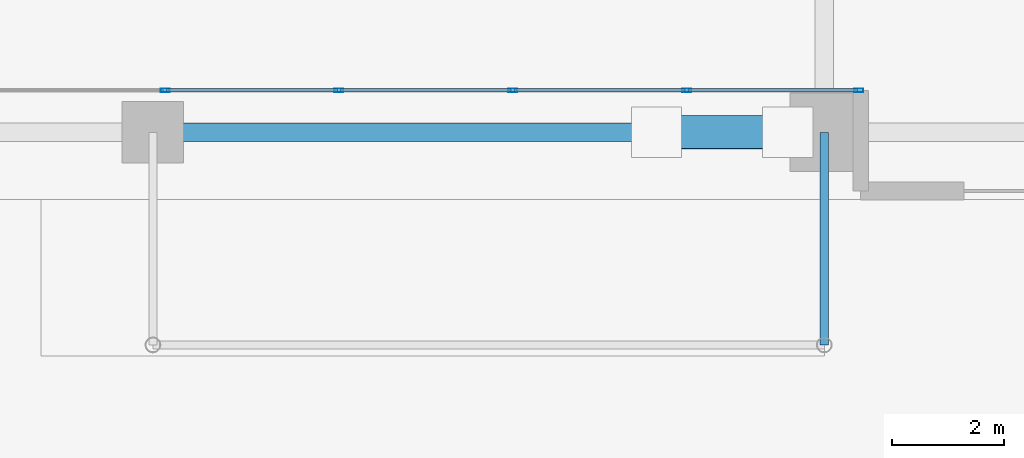
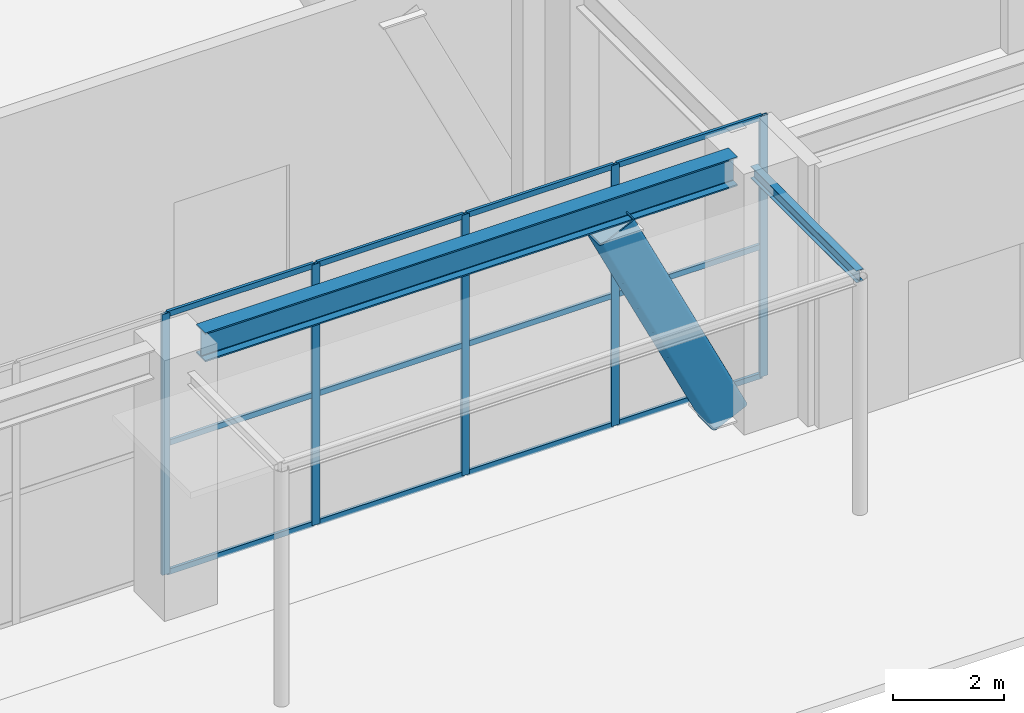
# One storey, part 18 of 49: 18 members, 2 beams, 1 element without a shape of its own.
"""IFC4 building model written with IfcOpenShell, lengths in metres."""

from ifc_helpers import new_model, si_unit, direction, frame, origin, origin_2d, place, context, subcontext, project, spatial, hollow_rectangle, i_section, extrude, material, layer, layer_set, material_profile, profile_set, type_object, element, aggregate, save


model = new_model("IFC4")

# Units and contexts
model_context = context("Model", 3, precision=1e-05, world=origin(), true_north=direction((0.0, 1.0)))
body_context = subcontext(model_context, "Body", "Model", "MODEL_VIEW")
ifc_project = project(units=[si_unit("LENGTHUNIT", "METRE"), si_unit("AREAUNIT", "SQUARE_METRE"), si_unit("VOLUMEUNIT", "CUBIC_METRE"), si_unit("PLANEANGLEUNIT", "RADIAN"), si_unit("MASSUNIT", "GRAM", prefix="KILO")], contexts=[model_context])

# Site, building, storey
site_placement = place(None, origin())
site = spatial("IfcSite", under=ifc_project, at=site_placement, CompositionType="ELEMENT")
building_placement = place(site_placement, origin())
building = spatial("IfcBuilding", under=site, at=building_placement, Name="Sarneth Arch Tower", CompositionType="ELEMENT")
storey_placement = place(building_placement, origin())
storey = spatial("IfcBuildingStorey", under=building, at=storey_placement, Name="L00", CompositionType="ELEMENT", Elevation=0.0)

# Beams
ifc_material_1 = material(Name="Steel S355", Category="steel")
ifc_material_profile_1 = material_profile(ifc_material_1, i_section(OverallWidth=0.14794921875, OverallDepth=0.26611328125, WebThickness=0.007568359375, FlangeThickness=0.012939453125, FilletRadius=0.012939453125, at=origin_2d()), Name="W250x44.8")
ifc_profile_set_1 = profile_set([ifc_material_profile_1], Name="Steel S355")
beam_type_1 = type_object("IfcBeamType", Name="BM-JOIST-250", PredefinedType="JOIST", material=ifc_profile_set_1)
beam_1_placement = place(storey_placement, frame((66.0, 9.199951171875, 5.159912109375), z_axis=(0.0, -1.0, 0.0), x_axis=(1.0, 0.0, 0.0)))
element("IfcBeam", 1, at=beam_1_placement, inside=storey, type_object=beam_type_1, Name="Entrance canopy outrigger beam SOUTH-E.2", PredefinedType="JOIST", context=body_context, shape_type="SweptSolid", body=[
    extrude(i_section(OverallWidth=0.14794921875, OverallDepth=0.26611328125, WebThickness=0.007568359375, FlangeThickness=0.012939453125, FilletRadius=0.012939453125, at=origin_2d()), origin(), (0.0, 0.0, 1.0), 3.800048828125),
])
ifc_material_2 = material(Name="Steel S355", Category="steel")
ifc_material_profile_2 = material_profile(ifc_material_2, i_section(OverallWidth=0.3291015625, OverallDepth=0.635009765625, WebThickness=0.017822265625, FlangeThickness=0.031005859375, FilletRadius=0.01904296875, at=origin_2d()), Name="W610x241")
ifc_profile_set_2 = profile_set([ifc_material_profile_2], Name="Steel S355")
beam_type_2 = type_object("IfcBeamType", Name="BM-POD-610", PredefinedType="BEAM", material=ifc_profile_set_2)
beam_2_placement = place(storey_placement, frame((54.52001953125, 9.199951171875, 5.402587890625), z_axis=(1.0, 0.0, 0.0), x_axis=(0.0, 1.0, 0.0)))
element("IfcBeam", 2, at=beam_2_placement, inside=storey, type_object=beam_type_2, Name="L00 Podium PS girder 6", PredefinedType="BEAM", context=body_context, shape_type="SweptSolid", body=[
    extrude(i_section(OverallWidth=0.3291015625, OverallDepth=0.635009765625, WebThickness=0.017822265625, FlangeThickness=0.031005859375, FilletRadius=0.01904296875, at=origin_2d()), origin(), (0.0, 0.0, 1.0), 11.04443359375),
])

# Curtain wall, members
ifc_material_3 = material(Name="Anodised aluminium Type AA25 and solar-control low-e laminated IGU", Category="aluminium")
ifc_layer = layer(ifc_material_3, 0.199951171875)
ifc_layer_set = layer_set([ifc_layer], Name="Anodised aluminium Type AA25 and solar-control low-e laminated IGU")
curtain_wall_type = type_object("IfcCurtainWallType", Name="CW-ARCH-GLAZE", PredefinedType="NOTDEFINED", material=ifc_layer_set)
curtain_wall_placement = place(storey_placement, origin())
curtain_wall = element("IfcCurtainWall", 3, at=curtain_wall_placement, inside=storey, type_object=curtain_wall_type, Name="L00 South parabolic arch portal curtain wall", PredefinedType="NOTDEFINED")
ifc_material_4 = material(Name="Anodised Aluminium 6063-T6", Category="aluminium")
ifc_material_profile_3 = material_profile(ifc_material_4, hollow_rectangle(XDim=0.06005859375, YDim=0.159912109375, WallThickness=0.00390625, at=origin_2d()), Name="AL-MULL-160x60x4")
ifc_profile_set_3 = profile_set([ifc_material_profile_3], Name="Anodised Aluminium 6063-T6")
member_type_1 = type_object("IfcMemberType", Name="CW-MULLION", PredefinedType="MULLION", material=ifc_profile_set_3)
member_1_placement = place(storey_placement, frame((54.216552734375, 9.949951171875, 0.0), z_axis=(0.0, 0.0, 1.0), x_axis=(0.0, 1.0, 0.0)))
member_1 = element("IfcMember", 4, at=member_1_placement, type_object=member_type_1, Name="CW-SYS-2 mullion 9", PredefinedType="MULLION", context=body_context, shape_type="SweptSolid", body=[
    extrude(hollow_rectangle(XDim=0.06005859375, YDim=0.159912109375, WallThickness=0.00390625, at=origin_2d()), origin(), (0.0, 0.0, 1.0), 5.719970703125),
])
member_2_placement = place(storey_placement, frame((57.324951171875, 9.949951171875, 0.0), z_axis=(0.0, 0.0, 1.0), x_axis=(0.0, 1.0, 0.0)))
member_2 = element("IfcMember", 5, at=member_2_placement, type_object=member_type_1, Name="CW-SYS-2 mullion 10", PredefinedType="MULLION", context=body_context, shape_type="SweptSolid", body=[
    extrude(hollow_rectangle(XDim=0.06005859375, YDim=0.159912109375, WallThickness=0.00390625, at=origin_2d()), origin(), (0.0, 0.0, 1.0), 5.719970703125),
])
member_3_placement = place(storey_placement, frame((60.433349609375, 9.949951171875, 0.0), z_axis=(0.0, 0.0, 1.0), x_axis=(0.0, 1.0, 0.0)))
member_3 = element("IfcMember", 6, at=member_3_placement, type_object=member_type_1, Name="CW-SYS-2 mullion 11", PredefinedType="MULLION", context=body_context, shape_type="SweptSolid", body=[
    extrude(hollow_rectangle(XDim=0.06005859375, YDim=0.159912109375, WallThickness=0.00390625, at=origin_2d()), origin(), (0.0, 0.0, 1.0), 5.719970703125),
])
member_4_placement = place(storey_placement, frame((63.541748046875, 9.949951171875, 0.0), z_axis=(0.0, 0.0, 1.0), x_axis=(0.0, 1.0, 0.0)))
member_4 = element("IfcMember", 7, at=member_4_placement, type_object=member_type_1, Name="CW-SYS-2 mullion 12", PredefinedType="MULLION", context=body_context, shape_type="SweptSolid", body=[
    extrude(hollow_rectangle(XDim=0.06005859375, YDim=0.159912109375, WallThickness=0.00390625, at=origin_2d()), origin(), (0.0, 0.0, 1.0), 5.719970703125),
])
member_5_placement = place(storey_placement, frame((66.6201171875, 9.949951171875, 0.0), z_axis=(0.0, 0.0, 1.0), x_axis=(0.0, 1.0, 0.0)))
member_5 = element("IfcMember", 8, at=member_5_placement, type_object=member_type_1, Name="CW-SYS-2 mullion 13", PredefinedType="MULLION", context=body_context, shape_type="SweptSolid", body=[
    extrude(hollow_rectangle(XDim=0.06005859375, YDim=0.159912109375, WallThickness=0.00390625, at=origin_2d()), origin(), (0.0, 0.0, 1.0), 5.719970703125),
])
ifc_material_5 = material(Name="Anodised Aluminium 6063-T6", Category="aluminium")
ifc_material_profile_4 = material_profile(ifc_material_5, hollow_rectangle(XDim=0.06005859375, YDim=0.1201171875, WallThickness=0.00390625, at=origin_2d()), Name="AL-TRAN-120x60x4")
ifc_profile_set_4 = profile_set([ifc_material_profile_4], Name="Anodised Aluminium 6063-T6")
member_type_2 = type_object("IfcMemberType", Name="CW-TRANSOM", PredefinedType="USERDEFINED", material=ifc_profile_set_4)
member_6_placement = place(storey_placement, frame((54.24658203125, 9.949951171875, 0.030029296875), z_axis=(1.0, 0.0, 0.0), x_axis=(0.0, 1.0, 0.0)))
member_6 = element("IfcMember", 9, at=member_6_placement, type_object=member_type_2, Name="CW-SYS-2 transom 9.1", ObjectType="TRANSOM", PredefinedType="USERDEFINED", context=body_context, shape_type="SweptSolid", body=[
    extrude(hollow_rectangle(XDim=0.06005859375, YDim=0.1201171875, WallThickness=0.00390625, at=origin_2d()), origin(), (0.0, 0.0, 1.0), 3.04833984375),
])
member_7_placement = place(storey_placement, frame((54.24658203125, 9.949951171875, 2.860107421875), z_axis=(1.0, 0.0, 0.0), x_axis=(0.0, 1.0, 0.0)))
member_7 = element("IfcMember", 10, at=member_7_placement, type_object=member_type_2, Name="CW-SYS-2 transom 9.2", ObjectType="TRANSOM", PredefinedType="USERDEFINED", context=body_context, shape_type="SweptSolid", body=[
    extrude(hollow_rectangle(XDim=0.06005859375, YDim=0.1201171875, WallThickness=0.00390625, at=origin_2d()), origin(), (0.0, 0.0, 1.0), 3.04833984375),
])
member_8_placement = place(storey_placement, frame((54.24658203125, 9.949951171875, 5.68994140625), z_axis=(1.0, 0.0, 0.0), x_axis=(0.0, 1.0, 0.0)))
member_8 = element("IfcMember", 11, at=member_8_placement, type_object=member_type_2, Name="CW-SYS-2 transom 9.3", ObjectType="TRANSOM", PredefinedType="USERDEFINED", context=body_context, shape_type="SweptSolid", body=[
    extrude(hollow_rectangle(XDim=0.06005859375, YDim=0.1201171875, WallThickness=0.00390625, at=origin_2d()), origin(), (0.0, 0.0, 1.0), 3.04833984375),
])
member_9_placement = place(storey_placement, frame((57.35498046875, 9.949951171875, 0.030029296875), z_axis=(1.0, 0.0, 0.0), x_axis=(0.0, 1.0, 0.0)))
member_9 = element("IfcMember", 12, at=member_9_placement, type_object=member_type_2, Name="CW-SYS-2 transom 10.1", ObjectType="TRANSOM", PredefinedType="USERDEFINED", context=body_context, shape_type="SweptSolid", body=[
    extrude(hollow_rectangle(XDim=0.06005859375, YDim=0.1201171875, WallThickness=0.00390625, at=origin_2d()), origin(), (0.0, 0.0, 1.0), 3.04833984375),
])
member_10_placement = place(storey_placement, frame((57.35498046875, 9.949951171875, 2.860107421875), z_axis=(1.0, 0.0, 0.0), x_axis=(0.0, 1.0, 0.0)))
member_10 = element("IfcMember", 13, at=member_10_placement, type_object=member_type_2, Name="CW-SYS-2 transom 10.2", ObjectType="TRANSOM", PredefinedType="USERDEFINED", context=body_context, shape_type="SweptSolid", body=[
    extrude(hollow_rectangle(XDim=0.06005859375, YDim=0.1201171875, WallThickness=0.00390625, at=origin_2d()), origin(), (0.0, 0.0, 1.0), 3.04833984375),
])
member_11_placement = place(storey_placement, frame((57.35498046875, 9.949951171875, 5.68994140625), z_axis=(1.0, 0.0, 0.0), x_axis=(0.0, 1.0, 0.0)))
member_11 = element("IfcMember", 14, at=member_11_placement, type_object=member_type_2, Name="CW-SYS-2 transom 10.3", ObjectType="TRANSOM", PredefinedType="USERDEFINED", context=body_context, shape_type="SweptSolid", body=[
    extrude(hollow_rectangle(XDim=0.06005859375, YDim=0.1201171875, WallThickness=0.00390625, at=origin_2d()), origin(), (0.0, 0.0, 1.0), 3.04833984375),
])
member_12_placement = place(storey_placement, frame((60.46337890625, 9.949951171875, 0.030029296875), z_axis=(1.0, 0.0, 0.0), x_axis=(0.0, 1.0, 0.0)))
member_12 = element("IfcMember", 15, at=member_12_placement, type_object=member_type_2, Name="CW-SYS-2 transom 11.1", ObjectType="TRANSOM", PredefinedType="USERDEFINED", context=body_context, shape_type="SweptSolid", body=[
    extrude(hollow_rectangle(XDim=0.06005859375, YDim=0.1201171875, WallThickness=0.00390625, at=origin_2d()), origin(), (0.0, 0.0, 1.0), 3.04833984375),
])
member_13_placement = place(storey_placement, frame((60.46337890625, 9.949951171875, 2.860107421875), z_axis=(1.0, 0.0, 0.0), x_axis=(0.0, 1.0, 0.0)))
member_13 = element("IfcMember", 16, at=member_13_placement, type_object=member_type_2, Name="CW-SYS-2 transom 11.2", ObjectType="TRANSOM", PredefinedType="USERDEFINED", context=body_context, shape_type="SweptSolid", body=[
    extrude(hollow_rectangle(XDim=0.06005859375, YDim=0.1201171875, WallThickness=0.00390625, at=origin_2d()), origin(), (0.0, 0.0, 1.0), 3.04833984375),
])
member_14_placement = place(storey_placement, frame((60.46337890625, 9.949951171875, 5.68994140625), z_axis=(1.0, 0.0, 0.0), x_axis=(0.0, 1.0, 0.0)))
member_14 = element("IfcMember", 17, at=member_14_placement, type_object=member_type_2, Name="CW-SYS-2 transom 11.3", ObjectType="TRANSOM", PredefinedType="USERDEFINED", context=body_context, shape_type="SweptSolid", body=[
    extrude(hollow_rectangle(XDim=0.06005859375, YDim=0.1201171875, WallThickness=0.00390625, at=origin_2d()), origin(), (0.0, 0.0, 1.0), 3.04833984375),
])
member_15_placement = place(storey_placement, frame((63.57177734375, 9.949951171875, 0.030029296875), z_axis=(1.0, 0.0, 0.0), x_axis=(0.0, 1.0, 0.0)))
member_15 = element("IfcMember", 18, at=member_15_placement, type_object=member_type_2, Name="CW-SYS-2 transom 12.1", ObjectType="TRANSOM", PredefinedType="USERDEFINED", context=body_context, shape_type="SweptSolid", body=[
    extrude(hollow_rectangle(XDim=0.06005859375, YDim=0.1201171875, WallThickness=0.00390625, at=origin_2d()), origin(), (0.0, 0.0, 1.0), 3.018310546875),
])
member_16_placement = place(storey_placement, frame((63.57177734375, 9.949951171875, 2.860107421875), z_axis=(1.0, 0.0, 0.0), x_axis=(0.0, 1.0, 0.0)))
member_16 = element("IfcMember", 19, at=member_16_placement, type_object=member_type_2, Name="CW-SYS-2 transom 12.2", ObjectType="TRANSOM", PredefinedType="USERDEFINED", context=body_context, shape_type="SweptSolid", body=[
    extrude(hollow_rectangle(XDim=0.06005859375, YDim=0.1201171875, WallThickness=0.00390625, at=origin_2d()), origin(), (0.0, 0.0, 1.0), 3.018310546875),
])
member_17_placement = place(storey_placement, frame((63.57177734375, 9.949951171875, 5.68994140625), z_axis=(1.0, 0.0, 0.0), x_axis=(0.0, 1.0, 0.0)))
member_17 = element("IfcMember", 20, at=member_17_placement, type_object=member_type_2, Name="CW-SYS-2 transom 12.3", ObjectType="TRANSOM", PredefinedType="USERDEFINED", context=body_context, shape_type="SweptSolid", body=[
    extrude(hollow_rectangle(XDim=0.06005859375, YDim=0.1201171875, WallThickness=0.00390625, at=origin_2d()), origin(), (0.0, 0.0, 1.0), 3.018310546875),
])
aggregate(curtain_wall, [member_1, member_2, member_3, member_4, member_5, member_6, member_7, member_8, member_9, member_10, member_11, member_12, member_13, member_14, member_15, member_16, member_17])

# Member
ifc_material_6 = material(Name="Steel S355", Category="steel")
ifc_material_profile_5 = material_profile(ifc_material_6, hollow_rectangle(XDim=0.60009765625, YDim=0.800048828125, WallThickness=0.028076171875, InnerFilletRadius=0.0419921875, OuterFilletRadius=0.070068359375, at=origin_2d()), Name="RHS800x600x28")
ifc_profile_set_5 = profile_set([ifc_material_profile_5], Name="Steel S355")
member_type_3 = type_object("IfcMemberType", Name="MEM-ARCH-CHORD", PredefinedType="CHORD", material=ifc_profile_set_5)
member_18_placement = place(storey_placement, frame((63.0, 9.199951171875, 5.03125), z_axis=(0.433788519804, 0.0, -0.901014716909), x_axis=(0.0, 1.0, 0.0)))
element("IfcMember", 21, at=member_18_placement, inside=storey, type_object=member_type_3, Name="Podium parabolic arch rib 1 segment 12", PredefinedType="CHORD", context=body_context, shape_type="SweptSolid", body=[
    extrude(hollow_rectangle(XDim=0.60009765625, YDim=0.800048828125, WallThickness=0.028076171875, InnerFilletRadius=0.0419921875, OuterFilletRadius=0.070068359375, at=origin_2d()), origin(), (0.0, 0.0, 1.0), 5.417724609375),
])

save(model, "model.ifc")
